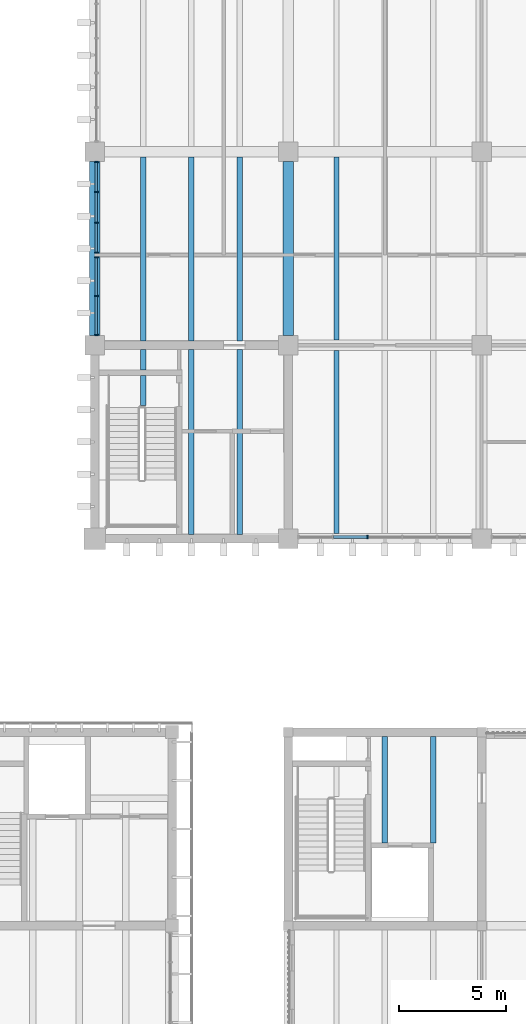
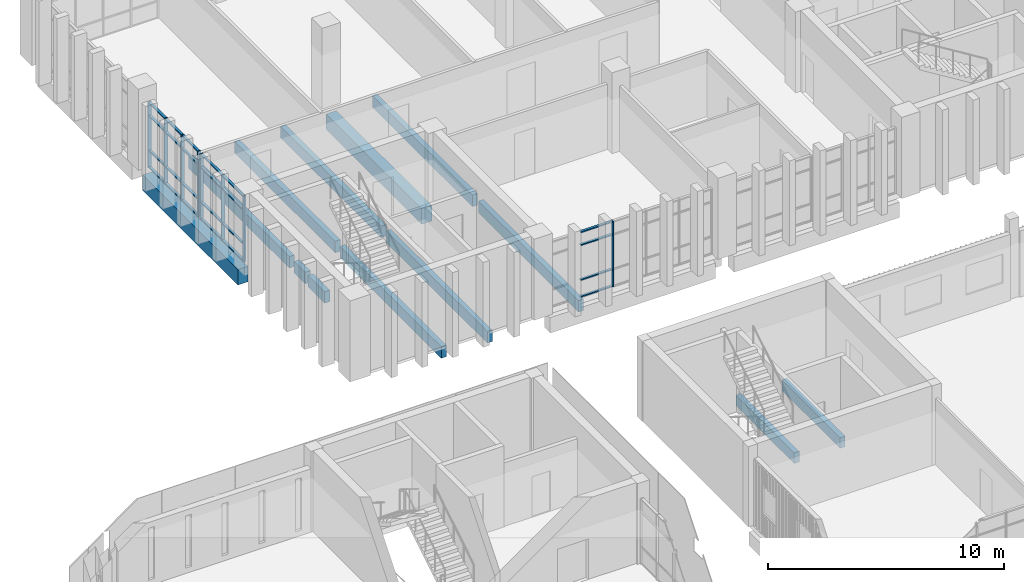
# One storey, part 30 of 88: 32 members, 13 beams, 3 elements without a shape of their own.
"""IFC4 building model written with IfcOpenShell, lengths in metres."""

from ifc_helpers import new_model, si_unit, direction, frame, origin, origin_2d, place, context, subcontext, project, spatial, rectangle, extrude, material, material_profile, profile_set, type_object, element, aggregate, save


model = new_model("IFC4")

# Units and contexts
model_context = context("Model", 3, precision=1e-05, world=origin(), true_north=direction((0.0, 1.0)))
body_context = subcontext(model_context, "Body", "Model", "MODEL_VIEW")
ifc_project = project(units=[si_unit("LENGTHUNIT", "METRE"), si_unit("AREAUNIT", "SQUARE_METRE"), si_unit("VOLUMEUNIT", "CUBIC_METRE"), si_unit("PLANEANGLEUNIT", "RADIAN"), si_unit("MASSUNIT", "GRAM", prefix="KILO")], contexts=[model_context])

# Site, building, storey
site_placement = place(None, origin())
site = spatial("IfcSite", under=ifc_project, at=site_placement, CompositionType="ELEMENT")
building_placement = place(site_placement, origin())
building = spatial("IfcBuilding", under=site, at=building_placement, Name="Merrow Basin Faculty of Sciences", CompositionType="ELEMENT")
storey_placement = place(building_placement, frame((0.0, 0.0, 9.0)))
storey = spatial("IfcBuildingStorey", under=building, at=storey_placement, Name="L02", CompositionType="ELEMENT", Elevation=9.0)

# Curtain wall, members
ifc_material_1 = material(Name="Aluminium alloy 6063", Category="aluminium")
curtain_wall_type = type_object("IfcCurtainWallType", Name="Unitised curtain wall 160", PredefinedType="NOTDEFINED", material=ifc_material_1)
curtain_wall_1_placement = place(storey_placement, origin())
curtain_wall_1 = element("IfcCurtainWall", 1, at=curtain_wall_1_placement, inside=storey, type_object=curtain_wall_type, Name="W curtain wall L02 1", PredefinedType="NOTDEFINED")
ifc_material_2 = material(Name="Aluminium alloy 6063", Category="aluminium")
ifc_material_profile_1 = material_profile(ifc_material_2, rectangle(XDim=0.159912109375, YDim=0.06005859375, at=origin_2d()))
ifc_profile_set_1 = profile_set([ifc_material_profile_1], Name="Aluminium alloy 6063")
member_type_1 = type_object("IfcMemberType", Name="Aluminium mullion 60x160", PredefinedType="MULLION", material=ifc_profile_set_1)
member_1_placement = place(storey_placement, frame((18.080078125, 151.47998046875, 0.0), z_axis=(0.0, 0.0, 1.0), x_axis=(-1.0, 0.0, 0.0)))
member_1 = element("IfcMember", 2, at=member_1_placement, type_object=member_type_1, Name="CW3 mullion 1", PredefinedType="MULLION", context=body_context, shape_type="SweptSolid", body=[
    extrude(rectangle(XDim=0.159912109375, YDim=0.06005859375, at=origin_2d()), origin(), (0.0, 0.0, 1.0), 3.39990234375),
])
member_2_placement = place(storey_placement, frame((18.080078125, 153.28759765625, 0.0), z_axis=(0.0, 0.0, 1.0), x_axis=(-1.0, 0.0, 0.0)))
member_2 = element("IfcMember", 3, at=member_2_placement, type_object=member_type_1, Name="CW3 mullion 2", PredefinedType="MULLION", context=body_context, shape_type="SweptSolid", body=[
    extrude(rectangle(XDim=0.159912109375, YDim=0.06005859375, at=origin_2d()), origin(), (0.0, 0.0, 1.0), 3.39990234375),
])
member_3_placement = place(storey_placement, frame((18.080078125, 155.094970703125, 0.0), z_axis=(0.0, 0.0, 1.0), x_axis=(-1.0, 0.0, 0.0)))
member_3 = element("IfcMember", 4, at=member_3_placement, type_object=member_type_1, Name="CW3 mullion 3", PredefinedType="MULLION", context=body_context, shape_type="SweptSolid", body=[
    extrude(rectangle(XDim=0.159912109375, YDim=0.06005859375, at=origin_2d()), origin(), (0.0, 0.0, 1.0), 3.39990234375),
])

curtain_wall_2_placement = place(storey_placement, origin())
curtain_wall_2 = element("IfcCurtainWall", 5, at=curtain_wall_2_placement, inside=storey, type_object=curtain_wall_type, Name="W curtain wall L02 2", PredefinedType="NOTDEFINED")
member_4_placement = place(storey_placement, frame((18.080078125, 155.304931640625, 0.0), z_axis=(0.0, 0.0, 1.0), x_axis=(-1.0, 0.0, 0.0)))
member_4 = element("IfcMember", 6, at=member_4_placement, type_object=member_type_1, Name="CW3 mullion 1", PredefinedType="MULLION", context=body_context, shape_type="SweptSolid", body=[
    extrude(rectangle(XDim=0.159912109375, YDim=0.06005859375, at=origin_2d()), origin(), (0.0, 0.0, 1.0), 3.39990234375),
])
member_5_placement = place(storey_placement, frame((18.080078125, 156.699951171875, 0.0), z_axis=(0.0, 0.0, 1.0), x_axis=(-1.0, 0.0, 0.0)))
member_5 = element("IfcMember", 7, at=member_5_placement, type_object=member_type_1, Name="CW3 mullion 2", PredefinedType="MULLION", context=body_context, shape_type="SweptSolid", body=[
    extrude(rectangle(XDim=0.159912109375, YDim=0.06005859375, at=origin_2d()), origin(), (0.0, 0.0, 1.0), 3.39990234375),
])
member_6_placement = place(storey_placement, frame((18.080078125, 158.125, 0.0), z_axis=(0.0, 0.0, 1.0), x_axis=(-1.0, 0.0, 0.0)))
member_6 = element("IfcMember", 8, at=member_6_placement, type_object=member_type_1, Name="CW3 mullion 3", PredefinedType="MULLION", context=body_context, shape_type="SweptSolid", body=[
    extrude(rectangle(XDim=0.159912109375, YDim=0.06005859375, at=origin_2d()), origin(), (0.0, 0.0, 1.0), 3.39990234375),
])
member_7_placement = place(storey_placement, frame((18.080078125, 159.52001953125, 0.0), z_axis=(0.0, 0.0, 1.0), x_axis=(-1.0, 0.0, 0.0)))
member_7 = element("IfcMember", 9, at=member_7_placement, type_object=member_type_1, Name="CW3 mullion 4", PredefinedType="MULLION", context=body_context, shape_type="SweptSolid", body=[
    extrude(rectangle(XDim=0.159912109375, YDim=0.06005859375, at=origin_2d()), origin(), (0.0, 0.0, 1.0), 3.39990234375),
])

# Curtain wall, member
curtain_wall_3_placement = place(storey_placement, origin())
curtain_wall_3 = element("IfcCurtainWall", 10, at=curtain_wall_3_placement, inside=storey, type_object=curtain_wall_type, Name="S curtain wall L02 1", PredefinedType="NOTDEFINED")
member_8_placement = place(storey_placement, frame((30.68994140625, 142.080078125, 0.0), z_axis=(0.0, 0.0, 1.0), x_axis=(0.0, 1.0, 0.0)))
member_8 = element("IfcMember", 11, at=member_8_placement, type_object=member_type_1, Name="CW3 mullion 3", PredefinedType="MULLION", context=body_context, shape_type="SweptSolid", body=[
    extrude(rectangle(XDim=0.159912109375, YDim=0.06005859375, at=origin_2d()), origin(), (0.0, 0.0, 1.0), 3.39990234375),
])

# Member
ifc_material_3 = material(Name="Aluminium alloy 6063", Category="aluminium")
ifc_material_profile_2 = material_profile(ifc_material_3, rectangle(XDim=0.1201171875, YDim=0.06005859375, at=origin_2d()))
ifc_profile_set_2 = profile_set([ifc_material_profile_2], Name="Aluminium alloy 6063")
member_type_2 = type_object("IfcMemberType", Name="Aluminium transom 60x120", PredefinedType="USERDEFINED", material=ifc_profile_set_2)
member_9_placement = place(storey_placement, frame((18.080078125, 151.510009765625, 0.030029296875), z_axis=(0.0, 1.0, 0.0), x_axis=(-1.0, 0.0, 0.0)))
member_9 = element("IfcMember", 12, at=member_9_placement, type_object=member_type_2, Name="CW3 transom 1.1", ObjectType="TRANSOM", PredefinedType="USERDEFINED", context=body_context, shape_type="SweptSolid", body=[
    extrude(rectangle(XDim=0.1201171875, YDim=0.06005859375, at=origin_2d()), origin(), (0.0, 0.0, 1.0), 1.74755859375),
])

member_10_placement = place(storey_placement, frame((18.080078125, 151.510009765625, 0.89990234375), z_axis=(0.0, 1.0, 0.0), x_axis=(-1.0, 0.0, 0.0)))
member_10 = element("IfcMember", 13, at=member_10_placement, type_object=member_type_2, Name="CW3 transom 1.2", ObjectType="TRANSOM", PredefinedType="USERDEFINED", context=body_context, shape_type="SweptSolid", body=[
    extrude(rectangle(XDim=0.1201171875, YDim=0.06005859375, at=origin_2d()), origin(), (0.0, 0.0, 1.0), 1.74755859375),
])

member_11_placement = place(storey_placement, frame((18.080078125, 151.510009765625, 2.699951171875), z_axis=(0.0, 1.0, 0.0), x_axis=(-1.0, 0.0, 0.0)))
member_11 = element("IfcMember", 14, at=member_11_placement, type_object=member_type_2, Name="CW3 transom 1.3", ObjectType="TRANSOM", PredefinedType="USERDEFINED", context=body_context, shape_type="SweptSolid", body=[
    extrude(rectangle(XDim=0.1201171875, YDim=0.06005859375, at=origin_2d()), origin(), (0.0, 0.0, 1.0), 1.74755859375),
])

member_12_placement = place(storey_placement, frame((18.080078125, 151.510009765625, 3.3701171875), z_axis=(0.0, 1.0, 0.0), x_axis=(-1.0, 0.0, 0.0)))
member_12 = element("IfcMember", 15, at=member_12_placement, type_object=member_type_2, Name="CW3 transom 1.4", ObjectType="TRANSOM", PredefinedType="USERDEFINED", context=body_context, shape_type="SweptSolid", body=[
    extrude(rectangle(XDim=0.1201171875, YDim=0.06005859375, at=origin_2d()), origin(), (0.0, 0.0, 1.0), 1.74755859375),
])

member_13_placement = place(storey_placement, frame((18.080078125, 153.3173828125, 0.030029296875), z_axis=(0.0, 1.0, 0.0), x_axis=(-1.0, 0.0, 0.0)))
member_13 = element("IfcMember", 16, at=member_13_placement, type_object=member_type_2, Name="CW3 transom 2.1", ObjectType="TRANSOM", PredefinedType="USERDEFINED", context=body_context, shape_type="SweptSolid", body=[
    extrude(rectangle(XDim=0.1201171875, YDim=0.06005859375, at=origin_2d()), origin(), (0.0, 0.0, 1.0), 1.74755859375),
])

member_14_placement = place(storey_placement, frame((18.080078125, 153.3173828125, 0.89990234375), z_axis=(0.0, 1.0, 0.0), x_axis=(-1.0, 0.0, 0.0)))
member_14 = element("IfcMember", 17, at=member_14_placement, type_object=member_type_2, Name="CW3 transom 2.2", ObjectType="TRANSOM", PredefinedType="USERDEFINED", context=body_context, shape_type="SweptSolid", body=[
    extrude(rectangle(XDim=0.1201171875, YDim=0.06005859375, at=origin_2d()), origin(), (0.0, 0.0, 1.0), 1.74755859375),
])

member_15_placement = place(storey_placement, frame((18.080078125, 153.3173828125, 2.699951171875), z_axis=(0.0, 1.0, 0.0), x_axis=(-1.0, 0.0, 0.0)))
member_15 = element("IfcMember", 18, at=member_15_placement, type_object=member_type_2, Name="CW3 transom 2.3", ObjectType="TRANSOM", PredefinedType="USERDEFINED", context=body_context, shape_type="SweptSolid", body=[
    extrude(rectangle(XDim=0.1201171875, YDim=0.06005859375, at=origin_2d()), origin(), (0.0, 0.0, 1.0), 1.74755859375),
])

member_16_placement = place(storey_placement, frame((18.080078125, 153.3173828125, 3.3701171875), z_axis=(0.0, 1.0, 0.0), x_axis=(-1.0, 0.0, 0.0)))
member_16 = element("IfcMember", 19, at=member_16_placement, type_object=member_type_2, Name="CW3 transom 2.4", ObjectType="TRANSOM", PredefinedType="USERDEFINED", context=body_context, shape_type="SweptSolid", body=[
    extrude(rectangle(XDim=0.1201171875, YDim=0.06005859375, at=origin_2d()), origin(), (0.0, 0.0, 1.0), 1.74755859375),
])

aggregate(curtain_wall_1, [member_1, member_2, member_3, member_9, member_10, member_11, member_12, member_13, member_14, member_15, member_16])

member_17_placement = place(storey_placement, frame((18.080078125, 155.3349609375, 0.030029296875), z_axis=(0.0, 1.0, 0.0), x_axis=(-1.0, 0.0, 0.0)))
member_17 = element("IfcMember", 20, at=member_17_placement, type_object=member_type_2, Name="CW3 transom 1.1", ObjectType="TRANSOM", PredefinedType="USERDEFINED", context=body_context, shape_type="SweptSolid", body=[
    extrude(rectangle(XDim=0.1201171875, YDim=0.06005859375, at=origin_2d()), origin(), (0.0, 0.0, 1.0), 1.3349609375),
])

member_18_placement = place(storey_placement, frame((18.080078125, 155.3349609375, 0.89990234375), z_axis=(0.0, 1.0, 0.0), x_axis=(-1.0, 0.0, 0.0)))
member_18 = element("IfcMember", 21, at=member_18_placement, type_object=member_type_2, Name="CW3 transom 1.2", ObjectType="TRANSOM", PredefinedType="USERDEFINED", context=body_context, shape_type="SweptSolid", body=[
    extrude(rectangle(XDim=0.1201171875, YDim=0.06005859375, at=origin_2d()), origin(), (0.0, 0.0, 1.0), 1.3349609375),
])

member_19_placement = place(storey_placement, frame((18.080078125, 155.3349609375, 2.699951171875), z_axis=(0.0, 1.0, 0.0), x_axis=(-1.0, 0.0, 0.0)))
member_19 = element("IfcMember", 22, at=member_19_placement, type_object=member_type_2, Name="CW3 transom 1.3", ObjectType="TRANSOM", PredefinedType="USERDEFINED", context=body_context, shape_type="SweptSolid", body=[
    extrude(rectangle(XDim=0.1201171875, YDim=0.06005859375, at=origin_2d()), origin(), (0.0, 0.0, 1.0), 1.3349609375),
])

member_20_placement = place(storey_placement, frame((18.080078125, 155.3349609375, 3.3701171875), z_axis=(0.0, 1.0, 0.0), x_axis=(-1.0, 0.0, 0.0)))
member_20 = element("IfcMember", 23, at=member_20_placement, type_object=member_type_2, Name="CW3 transom 1.4", ObjectType="TRANSOM", PredefinedType="USERDEFINED", context=body_context, shape_type="SweptSolid", body=[
    extrude(rectangle(XDim=0.1201171875, YDim=0.06005859375, at=origin_2d()), origin(), (0.0, 0.0, 1.0), 1.3349609375),
])

member_21_placement = place(storey_placement, frame((18.080078125, 156.72998046875, 0.030029296875), z_axis=(0.0, 1.0, 0.0), x_axis=(-1.0, 0.0, 0.0)))
member_21 = element("IfcMember", 24, at=member_21_placement, type_object=member_type_2, Name="CW3 transom 2.1", ObjectType="TRANSOM", PredefinedType="USERDEFINED", context=body_context, shape_type="SweptSolid", body=[
    extrude(rectangle(XDim=0.1201171875, YDim=0.06005859375, at=origin_2d()), origin(), (0.0, 0.0, 1.0), 1.364990234375),
])

member_22_placement = place(storey_placement, frame((18.080078125, 156.72998046875, 0.89990234375), z_axis=(0.0, 1.0, 0.0), x_axis=(-1.0, 0.0, 0.0)))
member_22 = element("IfcMember", 25, at=member_22_placement, type_object=member_type_2, Name="CW3 transom 2.2", ObjectType="TRANSOM", PredefinedType="USERDEFINED", context=body_context, shape_type="SweptSolid", body=[
    extrude(rectangle(XDim=0.1201171875, YDim=0.06005859375, at=origin_2d()), origin(), (0.0, 0.0, 1.0), 1.364990234375),
])

member_23_placement = place(storey_placement, frame((18.080078125, 156.72998046875, 2.699951171875), z_axis=(0.0, 1.0, 0.0), x_axis=(-1.0, 0.0, 0.0)))
member_23 = element("IfcMember", 26, at=member_23_placement, type_object=member_type_2, Name="CW3 transom 2.3", ObjectType="TRANSOM", PredefinedType="USERDEFINED", context=body_context, shape_type="SweptSolid", body=[
    extrude(rectangle(XDim=0.1201171875, YDim=0.06005859375, at=origin_2d()), origin(), (0.0, 0.0, 1.0), 1.364990234375),
])

member_24_placement = place(storey_placement, frame((18.080078125, 156.72998046875, 3.3701171875), z_axis=(0.0, 1.0, 0.0), x_axis=(-1.0, 0.0, 0.0)))
member_24 = element("IfcMember", 27, at=member_24_placement, type_object=member_type_2, Name="CW3 transom 2.4", ObjectType="TRANSOM", PredefinedType="USERDEFINED", context=body_context, shape_type="SweptSolid", body=[
    extrude(rectangle(XDim=0.1201171875, YDim=0.06005859375, at=origin_2d()), origin(), (0.0, 0.0, 1.0), 1.364990234375),
])

member_25_placement = place(storey_placement, frame((18.080078125, 158.155029296875, 0.030029296875), z_axis=(0.0, 1.0, 0.0), x_axis=(-1.0, 0.0, 0.0)))
member_25 = element("IfcMember", 28, at=member_25_placement, type_object=member_type_2, Name="CW3 transom 3.1", ObjectType="TRANSOM", PredefinedType="USERDEFINED", context=body_context, shape_type="SweptSolid", body=[
    extrude(rectangle(XDim=0.1201171875, YDim=0.06005859375, at=origin_2d()), origin(), (0.0, 0.0, 1.0), 1.3349609375),
])

member_26_placement = place(storey_placement, frame((18.080078125, 158.155029296875, 0.89990234375), z_axis=(0.0, 1.0, 0.0), x_axis=(-1.0, 0.0, 0.0)))
member_26 = element("IfcMember", 29, at=member_26_placement, type_object=member_type_2, Name="CW3 transom 3.2", ObjectType="TRANSOM", PredefinedType="USERDEFINED", context=body_context, shape_type="SweptSolid", body=[
    extrude(rectangle(XDim=0.1201171875, YDim=0.06005859375, at=origin_2d()), origin(), (0.0, 0.0, 1.0), 1.3349609375),
])

member_27_placement = place(storey_placement, frame((18.080078125, 158.155029296875, 2.699951171875), z_axis=(0.0, 1.0, 0.0), x_axis=(-1.0, 0.0, 0.0)))
member_27 = element("IfcMember", 30, at=member_27_placement, type_object=member_type_2, Name="CW3 transom 3.3", ObjectType="TRANSOM", PredefinedType="USERDEFINED", context=body_context, shape_type="SweptSolid", body=[
    extrude(rectangle(XDim=0.1201171875, YDim=0.06005859375, at=origin_2d()), origin(), (0.0, 0.0, 1.0), 1.3349609375),
])

member_28_placement = place(storey_placement, frame((18.080078125, 158.155029296875, 3.3701171875), z_axis=(0.0, 1.0, 0.0), x_axis=(-1.0, 0.0, 0.0)))
member_28 = element("IfcMember", 31, at=member_28_placement, type_object=member_type_2, Name="CW3 transom 3.4", ObjectType="TRANSOM", PredefinedType="USERDEFINED", context=body_context, shape_type="SweptSolid", body=[
    extrude(rectangle(XDim=0.1201171875, YDim=0.06005859375, at=origin_2d()), origin(), (0.0, 0.0, 1.0), 1.3349609375),
])

aggregate(curtain_wall_2, [member_4, member_5, member_6, member_7, member_17, member_18, member_19, member_20, member_21, member_22, member_23, member_24, member_25, member_26, member_27, member_28])

member_29_placement = place(storey_placement, frame((29.10009765625, 142.080078125, 0.030029296875), z_axis=(1.0, 0.0, 0.0), x_axis=(0.0, 1.0, 0.0)))
member_29 = element("IfcMember", 32, at=member_29_placement, type_object=member_type_2, Name="CW3 transom 2.1", ObjectType="TRANSOM", PredefinedType="USERDEFINED", context=body_context, shape_type="SweptSolid", body=[
    extrude(rectangle(XDim=0.1201171875, YDim=0.06005859375, at=origin_2d()), origin(), (0.0, 0.0, 1.0), 1.559814453125),
])

member_30_placement = place(storey_placement, frame((29.10009765625, 142.080078125, 0.89990234375), z_axis=(1.0, 0.0, 0.0), x_axis=(0.0, 1.0, 0.0)))
member_30 = element("IfcMember", 33, at=member_30_placement, type_object=member_type_2, Name="CW3 transom 2.2", ObjectType="TRANSOM", PredefinedType="USERDEFINED", context=body_context, shape_type="SweptSolid", body=[
    extrude(rectangle(XDim=0.1201171875, YDim=0.06005859375, at=origin_2d()), origin(), (0.0, 0.0, 1.0), 1.559814453125),
])

member_31_placement = place(storey_placement, frame((29.10009765625, 142.080078125, 2.699951171875), z_axis=(1.0, 0.0, 0.0), x_axis=(0.0, 1.0, 0.0)))
member_31 = element("IfcMember", 34, at=member_31_placement, type_object=member_type_2, Name="CW3 transom 2.3", ObjectType="TRANSOM", PredefinedType="USERDEFINED", context=body_context, shape_type="SweptSolid", body=[
    extrude(rectangle(XDim=0.1201171875, YDim=0.06005859375, at=origin_2d()), origin(), (0.0, 0.0, 1.0), 1.559814453125),
])

member_32_placement = place(storey_placement, frame((29.10009765625, 142.080078125, 3.3701171875), z_axis=(1.0, 0.0, 0.0), x_axis=(0.0, 1.0, 0.0)))
member_32 = element("IfcMember", 35, at=member_32_placement, type_object=member_type_2, Name="CW3 transom 2.4", ObjectType="TRANSOM", PredefinedType="USERDEFINED", context=body_context, shape_type="SweptSolid", body=[
    extrude(rectangle(XDim=0.1201171875, YDim=0.06005859375, at=origin_2d()), origin(), (0.0, 0.0, 1.0), 1.559814453125),
])

aggregate(curtain_wall_3, [member_8, member_29, member_30, member_31, member_32])

# Beams
ifc_material_4 = material(Name="Concrete C40/50", Category="concrete")
ifc_material_profile_3 = material_profile(ifc_material_4, rectangle(XDim=0.5, YDim=0.800048828125, at=origin_2d()))
ifc_profile_set_3 = profile_set([ifc_material_profile_3], Name="Concrete C40/50")
beam_type_1 = type_object("IfcBeamType", Name="Beam RC500x800 C40/50", PredefinedType="BEAM", material=ifc_profile_set_3)
for number, where, z_axis, x_axis, name in (
    (36, (18.0, 151.449951171875, -0.699951171875), (0.0, 1.0, 0.0), (-1.0, 0.0, 0.0), "B4 L02 013"),
    (37, (27.0, 151.449951171875, -0.699951171875), (0.0, 1.0, 0.0), (-1.0, 0.0, 0.0), "B4 L02 015"),
):
    element("IfcBeam", number, at=place(storey_placement, frame(where, z_axis=z_axis, x_axis=x_axis)), inside=storey, type_object=beam_type_1, Name=name, PredefinedType="BEAM", context=body_context, shape_type="SweptSolid", body=[
        extrude(rectangle(XDim=0.5, YDim=0.800048828125, at=origin_2d()), origin(), (0.0, 0.0, 1.0), 8.10009765625),
    ])
ifc_material_5 = material(Name="Concrete C40/50", Category="concrete")
ifc_material_profile_4 = material_profile(ifc_material_5, rectangle(XDim=0.25, YDim=0.550048828125, at=origin_2d()))
ifc_profile_set_4 = profile_set([ifc_material_profile_4], Name="Concrete C40/50")
beam_type_2 = type_object("IfcBeamType", Name="Commons floor joist RC250x550 C40/50", PredefinedType="BEAM", material=ifc_profile_set_4)
for number, where, z_axis, x_axis, name in (
    (38, (31.5, 127.85009765625, -0.52490234375), (0.0, 1.0, 0.0), (-1.0, 0.0, 0.0), "JC1 L02 046"),
    (39, (33.75, 127.85009765625, -0.52490234375), (0.0, 1.0, 0.0), (-1.0, 0.0, 0.0), "JC1 L02 047"),
):
    element("IfcBeam", number, at=place(storey_placement, frame(where, z_axis=z_axis, x_axis=x_axis)), inside=storey, type_object=beam_type_2, Name=name, PredefinedType="BEAM", context=body_context, shape_type="SweptSolid", body=[
        extrude(rectangle(XDim=0.25, YDim=0.550048828125, at=origin_2d()), origin(), (0.0, 0.0, 1.0), 4.949951171875),
    ])
ifc_material_6 = material(Name="Concrete C40/50", Category="concrete")
ifc_material_profile_5 = material_profile(ifc_material_6, rectangle(XDim=0.25, YDim=0.60009765625, at=origin_2d()))
ifc_profile_set_5 = profile_set([ifc_material_profile_5], Name="Concrete C40/50")
beam_type_3 = type_object("IfcBeamType", Name="Tower floor joist RC250x600 C40/50", PredefinedType="BEAM", material=ifc_profile_set_5)
beam_1_placement = place(storey_placement, frame((20.25, 148.199951171875, -0.60009765625), z_axis=(0.0, 1.0, 0.0), x_axis=(-1.0, 0.0, 0.0)))
element("IfcBeam", 40, at=beam_1_placement, inside=storey, type_object=beam_type_3, Name="JT1 L02 022", PredefinedType="BEAM", context=body_context, shape_type="SweptSolid", body=[
    extrude(rectangle(XDim=0.25, YDim=0.60009765625, at=origin_2d()), origin(), (0.0, 0.0, 1.0), 1.400146484375),
])
beam_2_placement = place(storey_placement, frame((20.25, 149.85009765625, -0.60009765625), z_axis=(0.0, 1.0, 0.0), x_axis=(-1.0, 0.0, 0.0)))
element("IfcBeam", 41, at=beam_2_placement, inside=storey, type_object=beam_type_3, Name="JT1 L02 023", PredefinedType="BEAM", context=body_context, shape_type="SweptSolid", body=[
    extrude(rectangle(XDim=0.25, YDim=0.60009765625, at=origin_2d()), origin(), (0.0, 0.0, 1.0), 0.949951171875),
])
for number, where, z_axis, x_axis, name in (
    (42, (22.5, 142.199951171875, -0.60009765625), (0.0, 1.0, 0.0), (-1.0, 0.0, 0.0), "JT1 L02 024"),
    (43, (24.75, 142.199951171875, -0.60009765625), (0.0, 1.0, 0.0), (-1.0, 0.0, 0.0), "JT1 L02 025"),
):
    element("IfcBeam", number, at=place(storey_placement, frame(where, z_axis=z_axis, x_axis=x_axis)), inside=storey, type_object=beam_type_3, Name=name, PredefinedType="BEAM", context=body_context, shape_type="SweptSolid", body=[
        extrude(rectangle(XDim=0.25, YDim=0.60009765625, at=origin_2d()), origin(), (0.0, 0.0, 1.0), 8.60009765625),
    ])
for number, where, z_axis, x_axis, name in (
    (44, (20.25, 151.199951171875, -0.60009765625), (0.0, 1.0, 0.0), (-1.0, 0.0, 0.0), "JT1 L02 026"),
    (45, (22.5, 151.199951171875, -0.60009765625), (0.0, 1.0, 0.0), (-1.0, 0.0, 0.0), "JT1 L02 027"),
    (46, (24.75, 151.199951171875, -0.60009765625), (0.0, 1.0, 0.0), (-1.0, 0.0, 0.0), "JT1 L02 028"),
):
    element("IfcBeam", number, at=place(storey_placement, frame(where, z_axis=z_axis, x_axis=x_axis)), inside=storey, type_object=beam_type_3, Name=name, PredefinedType="BEAM", context=body_context, shape_type="SweptSolid", body=[
        extrude(rectangle(XDim=0.25, YDim=0.60009765625, at=origin_2d()), origin(), (0.0, 0.0, 1.0), 8.550048828125),
    ])
for number, where, z_axis, x_axis, name in (
    (47, (29.25, 142.25, -0.60009765625), (0.0, 1.0, 0.0), (-1.0, 0.0, 0.0), "JT1 L02 032"),
    (48, (29.25, 151.25, -0.60009765625), (0.0, 1.0, 0.0), (-1.0, 0.0, 0.0), "JT1 L02 035"),
):
    element("IfcBeam", number, at=place(storey_placement, frame(where, z_axis=z_axis, x_axis=x_axis)), inside=storey, type_object=beam_type_3, Name=name, PredefinedType="BEAM", context=body_context, shape_type="SweptSolid", body=[
        extrude(rectangle(XDim=0.25, YDim=0.60009765625, at=origin_2d()), origin(), (0.0, 0.0, 1.0), 8.5),
    ])

save(model, "model.ifc")
